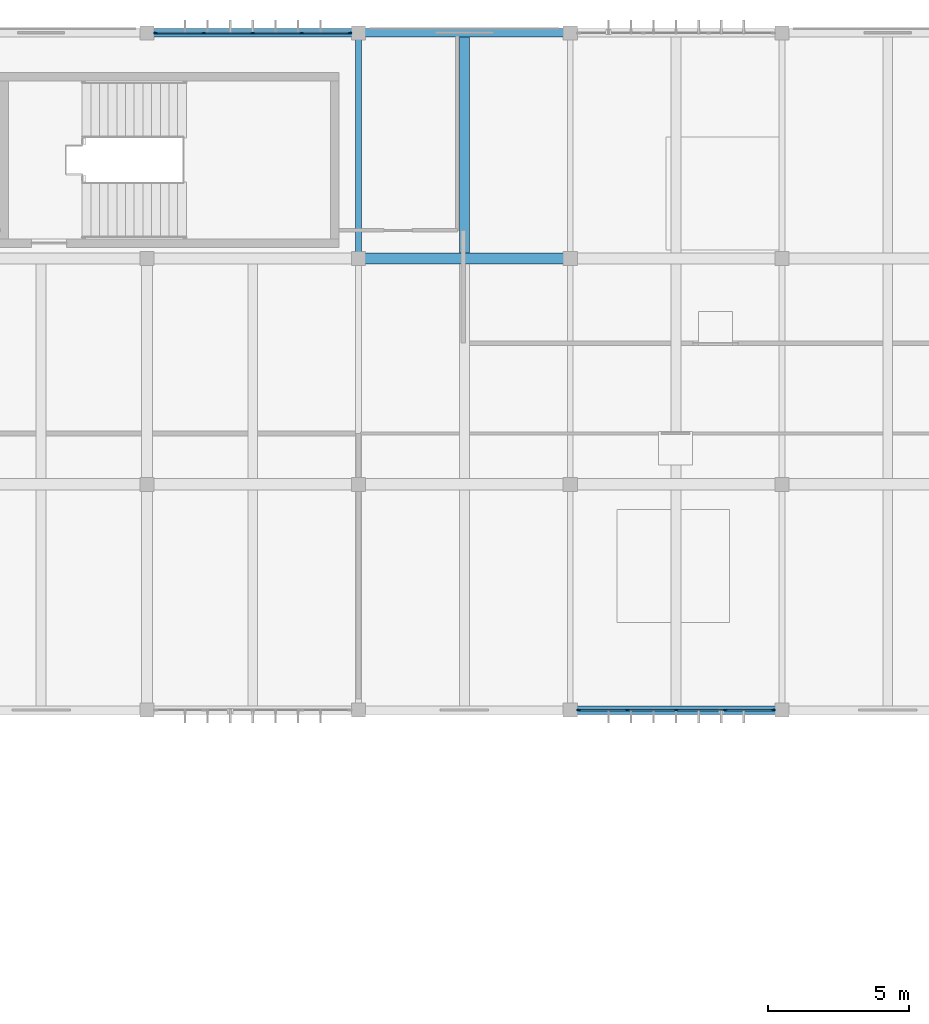
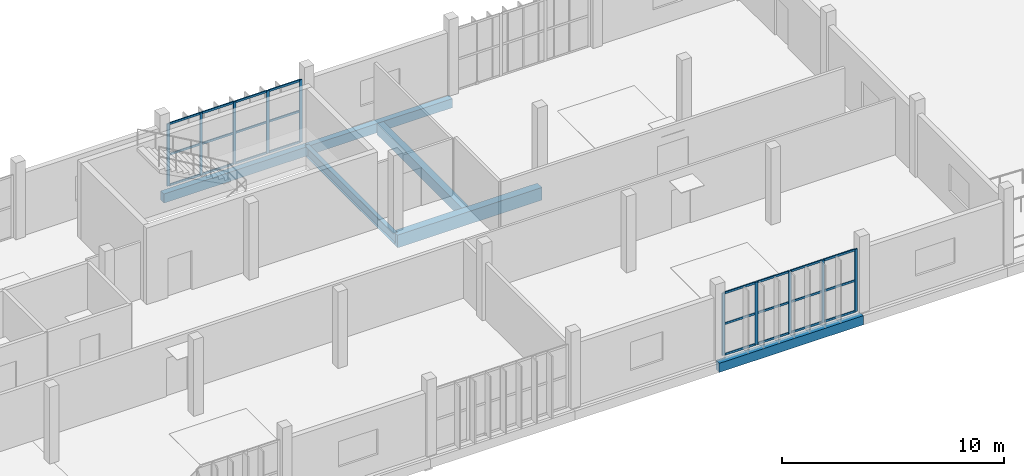
# One storey, part 11 of 27: 34 members, 6 beams, 2 elements without a shape of their own.
"""IFC4 building model written with IfcOpenShell, lengths in metres."""

from ifc_helpers import new_model, si_unit, direction, frame, origin, origin_2d, place, context, subcontext, project, spatial, rectangle, i_section, extrude, material, material_profile, profile_set, type_object, element, aggregate, save


model = new_model("IFC4")

# Units and contexts
model_context = context("Model", 3, precision=1e-05, world=origin(), true_north=direction((0.0, 1.0)))
body_context = subcontext(model_context, "Body", "Model", "MODEL_VIEW")
ifc_project = project(units=[si_unit("LENGTHUNIT", "METRE"), si_unit("AREAUNIT", "SQUARE_METRE"), si_unit("VOLUMEUNIT", "CUBIC_METRE"), si_unit("PLANEANGLEUNIT", "RADIAN"), si_unit("MASSUNIT", "GRAM", prefix="KILO")], contexts=[model_context])

# Site, building, storey
site_placement = place(None, origin())
site = spatial("IfcSite", under=ifc_project, at=site_placement, CompositionType="ELEMENT")
building_placement = place(site_placement, origin())
building = spatial("IfcBuilding", under=site, at=building_placement, Name="Vourika Railside Aquatics Centre", CompositionType="ELEMENT")
storey_placement = place(building_placement, frame((0.0, 0.0, 13.5)))
storey = spatial("IfcBuildingStorey", under=building, at=storey_placement, Name="L03", CompositionType="ELEMENT", Elevation=13.5)

# Beams
ifc_material_1 = material(Name="Concrete C35/45", Category="concrete")
ifc_material_profile_1 = material_profile(ifc_material_1, rectangle(XDim=0.39990234375, YDim=0.699951171875, at=origin_2d()), Name="RC 400x700")
ifc_profile_set_1 = profile_set([ifc_material_profile_1], Name="Concrete C35/45")
beam_type_1 = type_object("IfcBeamType", Name="BM-GIRD-400x700", PredefinedType="BEAM", material=ifc_profile_set_1)
beam_1_placement = place(storey_placement, frame((88.5, 108.0, -0.610107421875), z_axis=(1.0, 0.0, 0.0), x_axis=(0.0, 1.0, 0.0)))
element("IfcBeam", 1, at=beam_1_placement, inside=storey, type_object=beam_type_1, Name="Floor Beam GX-L03-079", PredefinedType="BEAM", context=body_context, shape_type="SweptSolid", body=[
    extrude(rectangle(XDim=0.39990234375, YDim=0.699951171875, at=origin_2d()), origin(), (0.0, 0.0, 1.0), 7.5),
])
ifc_material_profile_2 = material_profile(ifc_material_1, rectangle(XDim=0.35009765625, YDim=0.60009765625, at=origin_2d()), Name="RC 350x600")
ifc_profile_set_2 = profile_set([ifc_material_profile_2], Name="Concrete C35/45")
beam_type_2 = type_object("IfcBeamType", Name="BM-SEC-350x600", PredefinedType="JOIST", material=ifc_profile_set_2)
beam_2_placement = place(storey_placement, frame((92.25, 108.199951171875, -0.56005859375), z_axis=(0.0, 1.0, 0.0), x_axis=(-1.0, 0.0, 0.0)))
element("IfcBeam", 2, at=beam_2_placement, inside=storey, type_object=beam_type_2, Name="Secondary Joist JY-L03-247", PredefinedType="JOIST", context=body_context, shape_type="SweptSolid", body=[
    extrude(rectangle(XDim=0.35009765625, YDim=0.60009765625, at=origin_2d()), origin(), (0.0, 0.0, 1.0), 7.650146484375),
])
ifc_material_profile_3 = material_profile(ifc_material_1, rectangle(XDim=0.300048828125, YDim=0.5, at=origin_2d()), Name="RC 300x500")
ifc_profile_set_3 = profile_set([ifc_material_profile_3], Name="Concrete C35/45")
beam_type_3 = type_object("IfcBeamType", Name="BM-SPAN-300x500", PredefinedType="SPANDREL", material=ifc_profile_set_3)
for number, where, z_axis, x_axis, name in (
    (3, (96.0, 92.0, -0.510009765625), (1.0, 0.0, 0.0), (0.0, 1.0, 0.0), "Floor Beam GX-L03-046"),
    (4, (81.0, 116.0, -0.510009765625), (1.0, 0.0, 0.0), (0.0, 1.0, 0.0), "Floor Beam GX-L03-093"),
    (5, (88.5, 116.0, -0.510009765625), (1.0, 0.0, 0.0), (0.0, 1.0, 0.0), "Floor Beam GX-L03-094"),
):
    element("IfcBeam", number, at=place(storey_placement, frame(where, z_axis=z_axis, x_axis=x_axis)), inside=storey, type_object=beam_type_3, Name=name, PredefinedType="SPANDREL", context=body_context, shape_type="SweptSolid", body=[
        extrude(rectangle(XDim=0.300048828125, YDim=0.5, at=origin_2d()), origin(), (0.0, 0.0, 1.0), 7.5),
    ])
ifc_material_2 = material(Name="Steel S355J2", Category="steel")
ifc_material_profile_4 = material_profile(ifc_material_2, i_section(OverallWidth=0.2099609375, OverallDepth=0.550048828125, WebThickness=0.010986328125, FlangeThickness=0.01708984375, at=origin_2d()), Name="IPE 550")
ifc_profile_set_4 = profile_set([ifc_material_profile_4], Name="Steel S355J2")
beam_type_4 = type_object("IfcBeamType", Name="BM-STL-IPE550", PredefinedType="BEAM", material=ifc_profile_set_4)
beam_3_placement = place(storey_placement, frame((88.5, 108.0, -0.534912109375), z_axis=(0.0, 1.0, 0.0), x_axis=(-1.0, 0.0, 0.0)))
element("IfcBeam", 6, at=beam_3_placement, inside=storey, type_object=beam_type_4, Name="Floor Girder GY-L03-145", PredefinedType="BEAM", context=body_context, shape_type="SweptSolid", body=[
    extrude(i_section(OverallWidth=0.2099609375, OverallDepth=0.550048828125, WebThickness=0.010986328125, FlangeThickness=0.01708984375, at=origin_2d()), origin(), (0.0, 0.0, 1.0), 8.0),
])

# Curtain wall, members
ifc_material_3 = material(Name="Anodized thermally broken aluminium", Category="aluminium")
curtain_wall_type = type_object("IfcCurtainWallType", Name="CW-FIT3", PredefinedType="NOTDEFINED", material=ifc_material_3)
curtain_wall_1_placement = place(storey_placement, origin())
curtain_wall_1 = element("IfcCurtainWall", 7, at=curtain_wall_1_placement, inside=storey, type_object=curtain_wall_type, Name="North Boulevard Curtain Wall L03-9", PredefinedType="NOTDEFINED")
ifc_material_4 = material(Name="Anodized aluminium mullion", Category="aluminium")
ifc_material_profile_5 = material_profile(ifc_material_4, rectangle(XDim=0.05810546875, YDim=0.14208984375, at=origin_2d()), Name="ALU-M 58x142")
ifc_profile_set_5 = profile_set([ifc_material_profile_5], Name="Anodized aluminium mullion")
member_type_1 = type_object("IfcMemberType", Name="CWM-FIT3", PredefinedType="MULLION", material=ifc_profile_set_5)
member_1_placement = place(storey_placement, frame((88.19091796875, 116.0, 0.0), z_axis=(0.0, 0.0, 1.0), x_axis=(0.0, -1.0, 0.0)))
member_1 = element("IfcMember", 8, at=member_1_placement, type_object=member_type_1, Name="CW17 mullion 1", PredefinedType="MULLION", context=body_context, shape_type="SweptSolid", body=[
    extrude(rectangle(XDim=0.05810546875, YDim=0.14208984375, at=origin_2d()), origin(), (0.0, 0.0, 1.0), 3.429931640625),
])
member_2_placement = place(storey_placement, frame((86.485107421875, 116.0, 0.0), z_axis=(0.0, 0.0, 1.0), x_axis=(0.0, -1.0, 0.0)))
member_2 = element("IfcMember", 9, at=member_2_placement, type_object=member_type_1, Name="CW17 mullion 2", PredefinedType="MULLION", context=body_context, shape_type="SweptSolid", body=[
    extrude(rectangle(XDim=0.05810546875, YDim=0.14208984375, at=origin_2d()), origin(), (0.0, 0.0, 1.0), 3.429931640625),
])
member_3_placement = place(storey_placement, frame((84.75, 116.0, 0.0), z_axis=(0.0, 0.0, 1.0), x_axis=(0.0, -1.0, 0.0)))
member_3 = element("IfcMember", 10, at=member_3_placement, type_object=member_type_1, Name="CW17 mullion 3", PredefinedType="MULLION", context=body_context, shape_type="SweptSolid", body=[
    extrude(rectangle(XDim=0.05810546875, YDim=0.14208984375, at=origin_2d()), origin(), (0.0, 0.0, 1.0), 3.429931640625),
])
member_4_placement = place(storey_placement, frame((83.014892578125, 116.0, 0.0), z_axis=(0.0, 0.0, 1.0), x_axis=(0.0, -1.0, 0.0)))
member_4 = element("IfcMember", 11, at=member_4_placement, type_object=member_type_1, Name="CW17 mullion 4", PredefinedType="MULLION", context=body_context, shape_type="SweptSolid", body=[
    extrude(rectangle(XDim=0.05810546875, YDim=0.14208984375, at=origin_2d()), origin(), (0.0, 0.0, 1.0), 3.429931640625),
])
member_5_placement = place(storey_placement, frame((81.30908203125, 116.0, 0.0), z_axis=(0.0, 0.0, 1.0), x_axis=(0.0, -1.0, 0.0)))
member_5 = element("IfcMember", 12, at=member_5_placement, type_object=member_type_1, Name="CW17 mullion 5", PredefinedType="MULLION", context=body_context, shape_type="SweptSolid", body=[
    extrude(rectangle(XDim=0.05810546875, YDim=0.14208984375, at=origin_2d()), origin(), (0.0, 0.0, 1.0), 3.429931640625),
])

curtain_wall_2_placement = place(storey_placement, origin())
curtain_wall_2 = element("IfcCurtainWall", 13, at=curtain_wall_2_placement, inside=storey, type_object=curtain_wall_type, Name="Courtyard Fitness Curtain Wall L03-9", PredefinedType="NOTDEFINED")
member_6_placement = place(storey_placement, frame((96.30908203125, 92.0, 0.0), z_axis=(0.0, 0.0, 1.0), x_axis=(0.0, 1.0, 0.0)))
member_6 = element("IfcMember", 14, at=member_6_placement, type_object=member_type_1, Name="CW17 mullion 1", PredefinedType="MULLION", context=body_context, shape_type="SweptSolid", body=[
    extrude(rectangle(XDim=0.05810546875, YDim=0.14208984375, at=origin_2d()), origin(), (0.0, 0.0, 1.0), 3.429931640625),
])
member_7_placement = place(storey_placement, frame((98.014892578125, 92.0, 0.0), z_axis=(0.0, 0.0, 1.0), x_axis=(0.0, 1.0, 0.0)))
member_7 = element("IfcMember", 15, at=member_7_placement, type_object=member_type_1, Name="CW17 mullion 2", PredefinedType="MULLION", context=body_context, shape_type="SweptSolid", body=[
    extrude(rectangle(XDim=0.05810546875, YDim=0.14208984375, at=origin_2d()), origin(), (0.0, 0.0, 1.0), 3.429931640625),
])
member_8_placement = place(storey_placement, frame((99.75, 92.0, 0.0), z_axis=(0.0, 0.0, 1.0), x_axis=(0.0, 1.0, 0.0)))
member_8 = element("IfcMember", 16, at=member_8_placement, type_object=member_type_1, Name="CW17 mullion 3", PredefinedType="MULLION", context=body_context, shape_type="SweptSolid", body=[
    extrude(rectangle(XDim=0.05810546875, YDim=0.14208984375, at=origin_2d()), origin(), (0.0, 0.0, 1.0), 3.429931640625),
])
member_9_placement = place(storey_placement, frame((101.485107421875, 92.0, 0.0), z_axis=(0.0, 0.0, 1.0), x_axis=(0.0, 1.0, 0.0)))
member_9 = element("IfcMember", 17, at=member_9_placement, type_object=member_type_1, Name="CW17 mullion 4", PredefinedType="MULLION", context=body_context, shape_type="SweptSolid", body=[
    extrude(rectangle(XDim=0.05810546875, YDim=0.14208984375, at=origin_2d()), origin(), (0.0, 0.0, 1.0), 3.429931640625),
])
member_10_placement = place(storey_placement, frame((103.19091796875, 92.0, 0.0), z_axis=(0.0, 0.0, 1.0), x_axis=(0.0, 1.0, 0.0)))
member_10 = element("IfcMember", 18, at=member_10_placement, type_object=member_type_1, Name="CW17 mullion 5", PredefinedType="MULLION", context=body_context, shape_type="SweptSolid", body=[
    extrude(rectangle(XDim=0.05810546875, YDim=0.14208984375, at=origin_2d()), origin(), (0.0, 0.0, 1.0), 3.429931640625),
])

# Member
ifc_material_5 = material(Name="Anodized aluminium transom", Category="aluminium")
ifc_material_profile_6 = material_profile(ifc_material_5, rectangle(XDim=0.05810546875, YDim=0.112060546875, at=origin_2d()), Name="ALU-T 58x112")
ifc_profile_set_6 = profile_set([ifc_material_profile_6], Name="Anodized aluminium transom")
member_type_2 = type_object("IfcMemberType", Name="CWT-FIT3", PredefinedType="USERDEFINED", material=ifc_profile_set_6)
member_11_placement = place(storey_placement, frame((88.162109375, 116.0, 0.029052734375), z_axis=(-1.0, 0.0, 0.0), x_axis=(0.0, -1.0, 0.0)))
member_11 = element("IfcMember", 19, at=member_11_placement, type_object=member_type_2, Name="CW17 transom 1.1", ObjectType="TRANSOM", PredefinedType="USERDEFINED", context=body_context, shape_type="SweptSolid", body=[
    extrude(rectangle(XDim=0.05810546875, YDim=0.112060546875, at=origin_2d()), origin(), (0.0, 0.0, 1.0), 1.648193359375),
])

member_12_placement = place(storey_placement, frame((88.162109375, 116.0, 1.715087890625), z_axis=(-1.0, 0.0, 0.0), x_axis=(0.0, -1.0, 0.0)))
member_12 = element("IfcMember", 20, at=member_12_placement, type_object=member_type_2, Name="CW17 transom 1.2", ObjectType="TRANSOM", PredefinedType="USERDEFINED", context=body_context, shape_type="SweptSolid", body=[
    extrude(rectangle(XDim=0.05810546875, YDim=0.112060546875, at=origin_2d()), origin(), (0.0, 0.0, 1.0), 1.648193359375),
])

member_13_placement = place(storey_placement, frame((88.162109375, 116.0, 3.40087890625), z_axis=(-1.0, 0.0, 0.0), x_axis=(0.0, -1.0, 0.0)))
member_13 = element("IfcMember", 21, at=member_13_placement, type_object=member_type_2, Name="CW17 transom 1.3", ObjectType="TRANSOM", PredefinedType="USERDEFINED", context=body_context, shape_type="SweptSolid", body=[
    extrude(rectangle(XDim=0.05810546875, YDim=0.112060546875, at=origin_2d()), origin(), (0.0, 0.0, 1.0), 1.648193359375),
])

member_14_placement = place(storey_placement, frame((86.4560546875, 116.0, 0.029052734375), z_axis=(-1.0, 0.0, 0.0), x_axis=(0.0, -1.0, 0.0)))
member_14 = element("IfcMember", 22, at=member_14_placement, type_object=member_type_2, Name="CW17 transom 2.1", ObjectType="TRANSOM", PredefinedType="USERDEFINED", context=body_context, shape_type="SweptSolid", body=[
    extrude(rectangle(XDim=0.05810546875, YDim=0.112060546875, at=origin_2d()), origin(), (0.0, 0.0, 1.0), 1.677001953125),
])

member_15_placement = place(storey_placement, frame((86.4560546875, 116.0, 1.715087890625), z_axis=(-1.0, 0.0, 0.0), x_axis=(0.0, -1.0, 0.0)))
member_15 = element("IfcMember", 23, at=member_15_placement, type_object=member_type_2, Name="CW17 transom 2.2", ObjectType="TRANSOM", PredefinedType="USERDEFINED", context=body_context, shape_type="SweptSolid", body=[
    extrude(rectangle(XDim=0.05810546875, YDim=0.112060546875, at=origin_2d()), origin(), (0.0, 0.0, 1.0), 1.677001953125),
])

member_16_placement = place(storey_placement, frame((86.4560546875, 116.0, 3.40087890625), z_axis=(-1.0, 0.0, 0.0), x_axis=(0.0, -1.0, 0.0)))
member_16 = element("IfcMember", 24, at=member_16_placement, type_object=member_type_2, Name="CW17 transom 2.3", ObjectType="TRANSOM", PredefinedType="USERDEFINED", context=body_context, shape_type="SweptSolid", body=[
    extrude(rectangle(XDim=0.05810546875, YDim=0.112060546875, at=origin_2d()), origin(), (0.0, 0.0, 1.0), 1.677001953125),
])

member_17_placement = place(storey_placement, frame((84.720947265625, 116.0, 0.029052734375), z_axis=(-1.0, 0.0, 0.0), x_axis=(0.0, -1.0, 0.0)))
member_17 = element("IfcMember", 25, at=member_17_placement, type_object=member_type_2, Name="CW17 transom 3.1", ObjectType="TRANSOM", PredefinedType="USERDEFINED", context=body_context, shape_type="SweptSolid", body=[
    extrude(rectangle(XDim=0.05810546875, YDim=0.112060546875, at=origin_2d()), origin(), (0.0, 0.0, 1.0), 1.677001953125),
])

member_18_placement = place(storey_placement, frame((84.720947265625, 116.0, 1.715087890625), z_axis=(-1.0, 0.0, 0.0), x_axis=(0.0, -1.0, 0.0)))
member_18 = element("IfcMember", 26, at=member_18_placement, type_object=member_type_2, Name="CW17 transom 3.2", ObjectType="TRANSOM", PredefinedType="USERDEFINED", context=body_context, shape_type="SweptSolid", body=[
    extrude(rectangle(XDim=0.05810546875, YDim=0.112060546875, at=origin_2d()), origin(), (0.0, 0.0, 1.0), 1.677001953125),
])

member_19_placement = place(storey_placement, frame((84.720947265625, 116.0, 3.40087890625), z_axis=(-1.0, 0.0, 0.0), x_axis=(0.0, -1.0, 0.0)))
member_19 = element("IfcMember", 27, at=member_19_placement, type_object=member_type_2, Name="CW17 transom 3.3", ObjectType="TRANSOM", PredefinedType="USERDEFINED", context=body_context, shape_type="SweptSolid", body=[
    extrude(rectangle(XDim=0.05810546875, YDim=0.112060546875, at=origin_2d()), origin(), (0.0, 0.0, 1.0), 1.677001953125),
])

member_20_placement = place(storey_placement, frame((82.986083984375, 116.0, 0.029052734375), z_axis=(-1.0, 0.0, 0.0), x_axis=(0.0, -1.0, 0.0)))
member_20 = element("IfcMember", 28, at=member_20_placement, type_object=member_type_2, Name="CW17 transom 4.1", ObjectType="TRANSOM", PredefinedType="USERDEFINED", context=body_context, shape_type="SweptSolid", body=[
    extrude(rectangle(XDim=0.05810546875, YDim=0.112060546875, at=origin_2d()), origin(), (0.0, 0.0, 1.0), 1.648193359375),
])

member_21_placement = place(storey_placement, frame((82.986083984375, 116.0, 1.715087890625), z_axis=(-1.0, 0.0, 0.0), x_axis=(0.0, -1.0, 0.0)))
member_21 = element("IfcMember", 29, at=member_21_placement, type_object=member_type_2, Name="CW17 transom 4.2", ObjectType="TRANSOM", PredefinedType="USERDEFINED", context=body_context, shape_type="SweptSolid", body=[
    extrude(rectangle(XDim=0.05810546875, YDim=0.112060546875, at=origin_2d()), origin(), (0.0, 0.0, 1.0), 1.648193359375),
])

member_22_placement = place(storey_placement, frame((82.986083984375, 116.0, 3.40087890625), z_axis=(-1.0, 0.0, 0.0), x_axis=(0.0, -1.0, 0.0)))
member_22 = element("IfcMember", 30, at=member_22_placement, type_object=member_type_2, Name="CW17 transom 4.3", ObjectType="TRANSOM", PredefinedType="USERDEFINED", context=body_context, shape_type="SweptSolid", body=[
    extrude(rectangle(XDim=0.05810546875, YDim=0.112060546875, at=origin_2d()), origin(), (0.0, 0.0, 1.0), 1.648193359375),
])

aggregate(curtain_wall_1, [member_1, member_2, member_3, member_4, member_5, member_11, member_12, member_13, member_14, member_15, member_16, member_17, member_18, member_19, member_20, member_21, member_22])

member_23_placement = place(storey_placement, frame((96.337890625, 92.0, 0.029052734375), z_axis=(1.0, 0.0, 0.0), x_axis=(0.0, 1.0, 0.0)))
member_23 = element("IfcMember", 31, at=member_23_placement, type_object=member_type_2, Name="CW17 transom 1.1", ObjectType="TRANSOM", PredefinedType="USERDEFINED", context=body_context, shape_type="SweptSolid", body=[
    extrude(rectangle(XDim=0.05810546875, YDim=0.112060546875, at=origin_2d()), origin(), (0.0, 0.0, 1.0), 1.648193359375),
])

member_24_placement = place(storey_placement, frame((96.337890625, 92.0, 1.715087890625), z_axis=(1.0, 0.0, 0.0), x_axis=(0.0, 1.0, 0.0)))
member_24 = element("IfcMember", 32, at=member_24_placement, type_object=member_type_2, Name="CW17 transom 1.2", ObjectType="TRANSOM", PredefinedType="USERDEFINED", context=body_context, shape_type="SweptSolid", body=[
    extrude(rectangle(XDim=0.05810546875, YDim=0.112060546875, at=origin_2d()), origin(), (0.0, 0.0, 1.0), 1.648193359375),
])

member_25_placement = place(storey_placement, frame((96.337890625, 92.0, 3.40087890625), z_axis=(1.0, 0.0, 0.0), x_axis=(0.0, 1.0, 0.0)))
member_25 = element("IfcMember", 33, at=member_25_placement, type_object=member_type_2, Name="CW17 transom 1.3", ObjectType="TRANSOM", PredefinedType="USERDEFINED", context=body_context, shape_type="SweptSolid", body=[
    extrude(rectangle(XDim=0.05810546875, YDim=0.112060546875, at=origin_2d()), origin(), (0.0, 0.0, 1.0), 1.648193359375),
])

member_26_placement = place(storey_placement, frame((98.0439453125, 92.0, 0.029052734375), z_axis=(1.0, 0.0, 0.0), x_axis=(0.0, 1.0, 0.0)))
member_26 = element("IfcMember", 34, at=member_26_placement, type_object=member_type_2, Name="CW17 transom 2.1", ObjectType="TRANSOM", PredefinedType="USERDEFINED", context=body_context, shape_type="SweptSolid", body=[
    extrude(rectangle(XDim=0.05810546875, YDim=0.112060546875, at=origin_2d()), origin(), (0.0, 0.0, 1.0), 1.677001953125),
])

member_27_placement = place(storey_placement, frame((98.0439453125, 92.0, 1.715087890625), z_axis=(1.0, 0.0, 0.0), x_axis=(0.0, 1.0, 0.0)))
member_27 = element("IfcMember", 35, at=member_27_placement, type_object=member_type_2, Name="CW17 transom 2.2", ObjectType="TRANSOM", PredefinedType="USERDEFINED", context=body_context, shape_type="SweptSolid", body=[
    extrude(rectangle(XDim=0.05810546875, YDim=0.112060546875, at=origin_2d()), origin(), (0.0, 0.0, 1.0), 1.677001953125),
])

member_28_placement = place(storey_placement, frame((98.0439453125, 92.0, 3.40087890625), z_axis=(1.0, 0.0, 0.0), x_axis=(0.0, 1.0, 0.0)))
member_28 = element("IfcMember", 36, at=member_28_placement, type_object=member_type_2, Name="CW17 transom 2.3", ObjectType="TRANSOM", PredefinedType="USERDEFINED", context=body_context, shape_type="SweptSolid", body=[
    extrude(rectangle(XDim=0.05810546875, YDim=0.112060546875, at=origin_2d()), origin(), (0.0, 0.0, 1.0), 1.677001953125),
])

member_29_placement = place(storey_placement, frame((99.779052734375, 92.0, 0.029052734375), z_axis=(1.0, 0.0, 0.0), x_axis=(0.0, 1.0, 0.0)))
member_29 = element("IfcMember", 37, at=member_29_placement, type_object=member_type_2, Name="CW17 transom 3.1", ObjectType="TRANSOM", PredefinedType="USERDEFINED", context=body_context, shape_type="SweptSolid", body=[
    extrude(rectangle(XDim=0.05810546875, YDim=0.112060546875, at=origin_2d()), origin(), (0.0, 0.0, 1.0), 1.677001953125),
])

member_30_placement = place(storey_placement, frame((99.779052734375, 92.0, 1.715087890625), z_axis=(1.0, 0.0, 0.0), x_axis=(0.0, 1.0, 0.0)))
member_30 = element("IfcMember", 38, at=member_30_placement, type_object=member_type_2, Name="CW17 transom 3.2", ObjectType="TRANSOM", PredefinedType="USERDEFINED", context=body_context, shape_type="SweptSolid", body=[
    extrude(rectangle(XDim=0.05810546875, YDim=0.112060546875, at=origin_2d()), origin(), (0.0, 0.0, 1.0), 1.677001953125),
])

member_31_placement = place(storey_placement, frame((99.779052734375, 92.0, 3.40087890625), z_axis=(1.0, 0.0, 0.0), x_axis=(0.0, 1.0, 0.0)))
member_31 = element("IfcMember", 39, at=member_31_placement, type_object=member_type_2, Name="CW17 transom 3.3", ObjectType="TRANSOM", PredefinedType="USERDEFINED", context=body_context, shape_type="SweptSolid", body=[
    extrude(rectangle(XDim=0.05810546875, YDim=0.112060546875, at=origin_2d()), origin(), (0.0, 0.0, 1.0), 1.677001953125),
])

member_32_placement = place(storey_placement, frame((101.513916015625, 92.0, 0.029052734375), z_axis=(1.0, 0.0, 0.0), x_axis=(0.0, 1.0, 0.0)))
member_32 = element("IfcMember", 40, at=member_32_placement, type_object=member_type_2, Name="CW17 transom 4.1", ObjectType="TRANSOM", PredefinedType="USERDEFINED", context=body_context, shape_type="SweptSolid", body=[
    extrude(rectangle(XDim=0.05810546875, YDim=0.112060546875, at=origin_2d()), origin(), (0.0, 0.0, 1.0), 1.648193359375),
])

member_33_placement = place(storey_placement, frame((101.513916015625, 92.0, 1.715087890625), z_axis=(1.0, 0.0, 0.0), x_axis=(0.0, 1.0, 0.0)))
member_33 = element("IfcMember", 41, at=member_33_placement, type_object=member_type_2, Name="CW17 transom 4.2", ObjectType="TRANSOM", PredefinedType="USERDEFINED", context=body_context, shape_type="SweptSolid", body=[
    extrude(rectangle(XDim=0.05810546875, YDim=0.112060546875, at=origin_2d()), origin(), (0.0, 0.0, 1.0), 1.648193359375),
])

member_34_placement = place(storey_placement, frame((101.513916015625, 92.0, 3.40087890625), z_axis=(1.0, 0.0, 0.0), x_axis=(0.0, 1.0, 0.0)))
member_34 = element("IfcMember", 42, at=member_34_placement, type_object=member_type_2, Name="CW17 transom 4.3", ObjectType="TRANSOM", PredefinedType="USERDEFINED", context=body_context, shape_type="SweptSolid", body=[
    extrude(rectangle(XDim=0.05810546875, YDim=0.112060546875, at=origin_2d()), origin(), (0.0, 0.0, 1.0), 1.648193359375),
])

aggregate(curtain_wall_2, [member_6, member_7, member_8, member_9, member_10, member_23, member_24, member_25, member_26, member_27, member_28, member_29, member_30, member_31, member_32, member_33, member_34])

save(model, "model.ifc")
